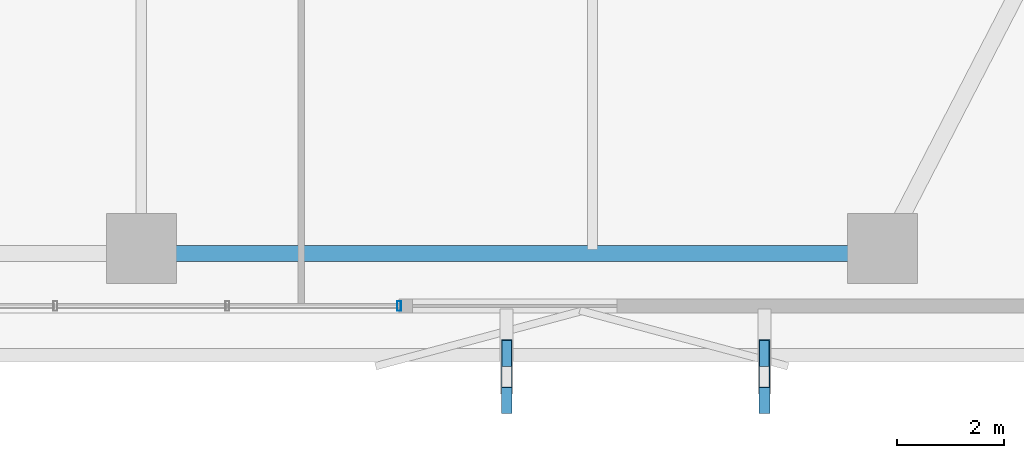
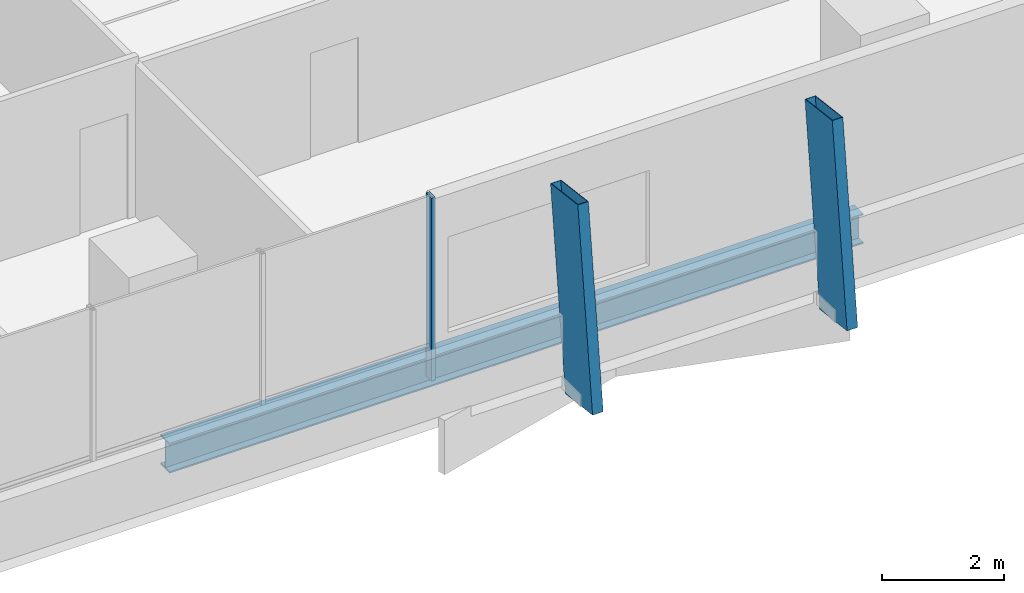
# One storey, part 11 of 34: 3 members, 1 beam, 1 element without a shape of its own.
"""IFC4 building model written with IfcOpenShell, lengths in metres."""

from ifc_helpers import new_model, si_unit, direction, frame, origin, origin_2d, place, context, subcontext, project, spatial, hollow_rectangle, i_section, extrude, material, layer, layer_set, material_profile, profile_set, type_object, element, aggregate, save


model = new_model("IFC4")

# Units and contexts
model_context = context("Model", 3, precision=1e-05, world=origin(), true_north=direction((0.0, 1.0)))
body_context = subcontext(model_context, "Body", "Model", "MODEL_VIEW")
ifc_project = project(units=[si_unit("LENGTHUNIT", "METRE"), si_unit("AREAUNIT", "SQUARE_METRE"), si_unit("VOLUMEUNIT", "CUBIC_METRE"), si_unit("PLANEANGLEUNIT", "RADIAN"), si_unit("MASSUNIT", "GRAM", prefix="KILO")], contexts=[model_context])

# Site, building, storey
site_placement = place(None, origin())
site = spatial("IfcSite", under=ifc_project, at=site_placement, CompositionType="ELEMENT")
building_placement = place(site_placement, origin())
building = spatial("IfcBuilding", under=site, at=building_placement, Name="Belovzor Exchange Tower", CompositionType="ELEMENT")
storey_placement = place(building_placement, frame((0.0, 0.0, 113.39990234375)))
storey = spatial("IfcBuildingStorey", under=building, at=storey_placement, Name="L27", CompositionType="ELEMENT", Elevation=113.39990234375)

# Members
ifc_material_1 = material(Name="Extruded Architectural Terracotta on Steel S355 Carrier", Category="masonry")
ifc_material_profile_1 = material_profile(ifc_material_1, hollow_rectangle(XDim=0.199951171875, YDim=0.89990234375, WallThickness=0.011962890625, at=origin_2d()))
ifc_profile_set_1 = profile_set([ifc_material_profile_1], Name="Extruded Architectural Terracotta on Steel S355 Carrier")
member_type_1 = type_object("IfcMemberType", Name="Sweeping Terracotta Baguette Fin Assembly 1250", PredefinedType="USERDEFINED", material=ifc_profile_set_1)
for number, where, z_axis, x_axis, name in (
    (1, (35.60009765625, 1.27490234375, -0.25), (0.0, 0.122941295572, 0.992413944805), (-1.0, 0.0, 0.0), "FIN-TC125 Terracotta Facade Fin L27 S3"),
    (2, (40.39990234375, 1.27490234375, -0.25), (0.0, 0.122941295572, 0.992413944805), (-1.0, 0.0, 0.0), "FIN-TC125 Terracotta Facade Fin L27 S4"),
):
    element("IfcMember", number, at=place(storey_placement, frame(where, z_axis=z_axis, x_axis=x_axis)), inside=storey, type_object=member_type_1, Name=name, ObjectType="FIN", PredefinedType="USERDEFINED", context=body_context, shape_type="SweptSolid", body=[
        extrude(hollow_rectangle(XDim=0.199951171875, YDim=0.89990234375, WallThickness=0.011962890625, at=origin_2d()), origin(), (0.0, 0.0, 1.0), 3.929931640625),
    ])

# Curtain wall, member
ifc_material_2 = material(Name="Anodised Aluminium Framing", Category="aluminium")
ifc_layer = layer(ifc_material_2, 0.179931640625)
ifc_layer_set = layer_set([ifc_layer], Name="Anodised Aluminium Framing")
curtain_wall_type = type_object("IfcCurtainWallType", Name="Recessed Loggia Low-Iron Triple-Glazed Curtain Wall", PredefinedType="NOTDEFINED", material=ifc_layer_set)
curtain_wall_placement = place(storey_placement, origin())
curtain_wall = element("IfcCurtainWall", 3, at=curtain_wall_placement, inside=storey, type_object=curtain_wall_type, Name="CW3 Recessed Loggia Low-Iron Triple-Glazed Curtain Wall L27", PredefinedType="NOTDEFINED")
ifc_material_3 = material(Name="Steel S355", Category="steel")
ifc_material_profile_2 = material_profile(ifc_material_3, hollow_rectangle(XDim=0.074951171875, YDim=0.179931640625, WallThickness=0.0048828125, at=origin_2d()))
ifc_profile_set_2 = profile_set([ifc_material_profile_2], Name="Steel S355")
member_type_2 = type_object("IfcMemberType", Name="Thermally Broken Curtain Wall Mullion 180x75", PredefinedType="MULLION", material=ifc_profile_set_2)
member_placement = place(storey_placement, frame((33.60009765625, 2.830078125, 0.0), z_axis=(0.0, 0.0, 1.0), x_axis=(-1.0, 0.0, 0.0)))
member = element("IfcMember", 4, at=member_placement, type_object=member_type_2, Name="CW-M180 Curtain Wall Mullion 1", PredefinedType="MULLION", context=body_context, shape_type="SweptSolid", body=[
    extrude(hollow_rectangle(XDim=0.074951171875, YDim=0.179931640625, WallThickness=0.0048828125, at=origin_2d()), origin(), (0.0, 0.0, 1.0), 3.650146484375),
])
aggregate(curtain_wall, [member])

# Beam
ifc_material_4 = material(Name="Steel S355", Category="steel")
ifc_material_profile_3 = material_profile(ifc_material_4, i_section(OverallWidth=0.300048828125, OverallDepth=0.60009765625, WebThickness=0.015380859375, FlangeThickness=0.030029296875, at=origin_2d()))
ifc_profile_set_3 = profile_set([ifc_material_profile_3], Name="Steel S355")
beam_type = type_object("IfcBeamType", Name="Zone 2 Primary Perimeter Girder HEB 600", PredefinedType="BEAM", material=ifc_profile_set_3)
beam_placement = place(storey_placement, frame((29.157958984375, 3.80810546875, -0.5498046875), z_axis=(1.0, 0.0, 0.0), x_axis=(0.0, 1.0, 0.0)))
element("IfcBeam", 5, at=beam_placement, inside=storey, type_object=beam_type, Name="FG-Z2 Zone 2 Primary Perimeter Girder HEB 600", PredefinedType="BEAM", context=body_context, shape_type="SweptSolid", body=[
    extrude(i_section(OverallWidth=0.300048828125, OverallDepth=0.60009765625, WebThickness=0.015380859375, FlangeThickness=0.030029296875, at=origin_2d()), origin(), (0.0, 0.0, 1.0), 13.083984375),
])

save(model, "model.ifc")
